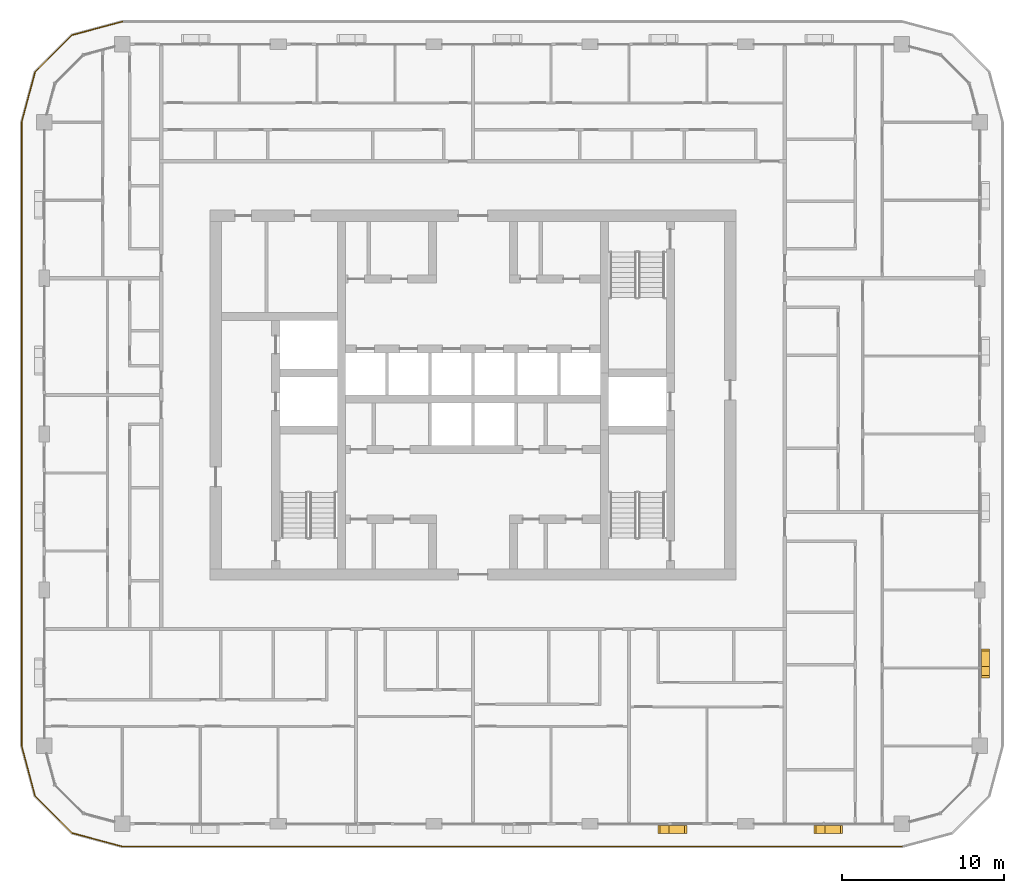
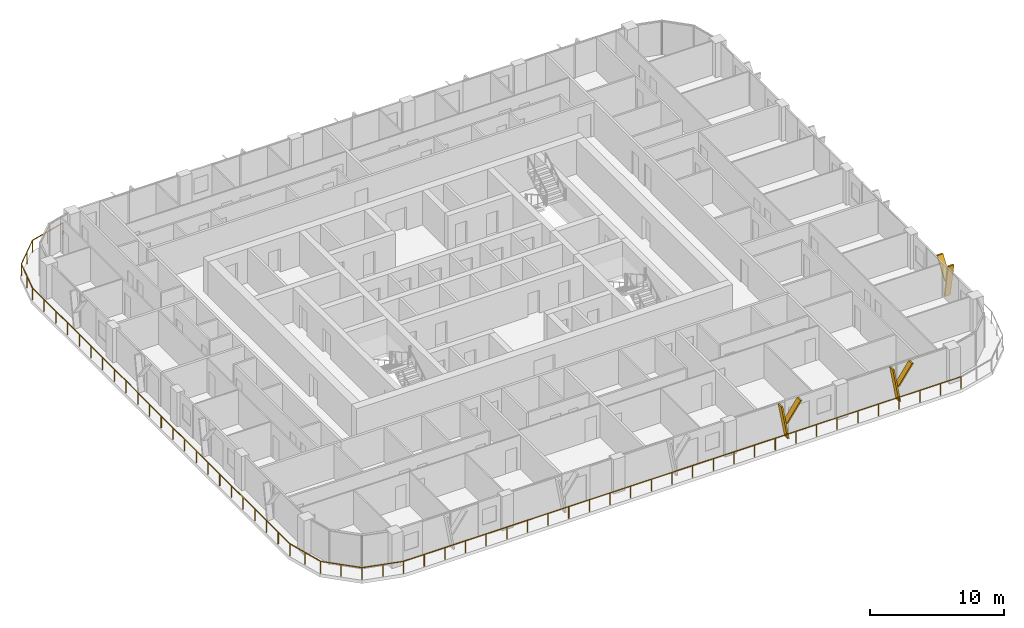
# One storey, part 19 of 22: 6 shading devices, 1 railing.
"""IFC4 building model written with IfcOpenShell, lengths in metres."""

from ifc_helpers import new_model, si_unit, direction, frame, origin, origin_2d, place, context, subcontext, project, spatial, polyline, circle, outline, extrude, material, type_object, element, save


model = new_model("IFC4")

# Units and contexts
model_context = context("Model", 3, precision=1e-05, world=origin(), true_north=direction((0.0, 1.0)))
body_context = subcontext(model_context, "Body", "Model", "MODEL_VIEW")
ifc_project = project(units=[si_unit("LENGTHUNIT", "METRE"), si_unit("AREAUNIT", "SQUARE_METRE"), si_unit("VOLUMEUNIT", "CUBIC_METRE"), si_unit("PLANEANGLEUNIT", "RADIAN"), si_unit("MASSUNIT", "GRAM", prefix="KILO")], contexts=[model_context])

# Site, building, storey
site_placement = place(None, origin())
site = spatial("IfcSite", under=ifc_project, at=site_placement, CompositionType="ELEMENT")
building_placement = place(site_placement, origin())
building = spatial("IfcBuilding", under=site, at=building_placement, Name="Madar Terraces", CompositionType="ELEMENT")
storey_placement = place(building_placement, frame((0.0, 0.0, 199.89990234375)))
storey = spatial("IfcBuildingStorey", under=building, at=storey_placement, Name="L52", CompositionType="ELEMENT", Elevation=199.89990234375)

# Railing
ifc_material_1 = material(Name="Glass, safety glazing, with stainless steel posts", Category="steel")
railing_type = type_object("IfcRailingType", Name="Balcony glass guard 1100", PredefinedType="GUARDRAIL", material=ifc_material_1)
railing_placement = place(storey_placement, frame((9.60009765625, 49.39990234375, 0.0)))
element("IfcRailing", 1, at=railing_placement, inside=storey, type_object=railing_type, Name="Balcony guard", PredefinedType="GUARDRAIL", context=body_context, shape_type="SweptSolid", body=[
    extrude(circle(Radius=0.02392578125, at=origin_2d()), frame((0.0, 0.0, 1.076171875), z_axis=(-0.9659337912, -0.258789317819, 0.0), x_axis=(0.258789317819, -0.9659337912, 0.0)), (0.0, 0.0, 1.0), 3.20947265625),
    extrude(circle(Radius=0.02392578125, at=origin_2d()), frame((-3.10009765625, -0.83056640625, 1.076171875), z_axis=(-0.707106781187, -0.707106781187, 0.0), x_axis=(0.707106781187, -0.707106781187, 0.0)), (0.0, 0.0, 1.0), 3.209228515625),
    extrude(circle(Radius=0.02392578125, at=origin_2d()), frame((-5.369384765625, -3.099853515625, 1.076171875), z_axis=(-0.258860290944, -0.965914773555, 0.0), x_axis=(0.965914773555, -0.258860290944, 0.0)), (0.0, 0.0, 1.0), 3.20947265625),
    extrude(circle(Radius=0.02392578125, at=origin_2d()), frame((-6.2001953125, -6.199951171875, 1.076171875), z_axis=(0.0, -1.0, 0.0), x_axis=(1.0, 0.0, 0.0)), (0.0, 0.0, 1.0), 38.39990234375),
    extrude(circle(Radius=0.02392578125, at=origin_2d()), frame((-6.2001953125, -44.599853515625, 1.076171875), z_axis=(0.258860290944, -0.965914773555, 0.0), x_axis=(0.965914773555, 0.258860290944, 0.0)), (0.0, 0.0, 1.0), 3.20947265625),
    extrude(circle(Radius=0.02392578125, at=origin_2d()), frame((-5.369384765625, -47.699951171875, 1.076171875), z_axis=(0.707106781187, -0.707106781187, 0.0), x_axis=(0.707106781187, 0.707106781187, 0.0)), (0.0, 0.0, 1.0), 3.209228515625),
    extrude(circle(Radius=0.02392578125, at=origin_2d()), frame((-3.10009765625, -49.96923828125, 1.076171875), z_axis=(0.9659337912, -0.258789317819, 0.0), x_axis=(0.258789317819, 0.9659337912, 0.0)), (0.0, 0.0, 1.0), 3.20947265625),
    extrude(circle(Radius=0.02392578125, at=origin_2d()), frame((0.0, -50.7998046875, 1.076171875), z_axis=(1.0, 0.0, 0.0), x_axis=(0.0, 1.0, 0.0)), (0.0, 0.0, 1.0), 48.0),
    extrude(circle(Radius=0.02099609375, at=origin_2d()), origin(), (0.0, 0.0, 1.0), 1.052001953125),
    extrude(circle(Radius=0.02099609375, at=origin_2d()), frame((-1.550048828125, -0.415283203125, 0.0)), (0.0, 0.0, 1.0), 1.052001953125),
    extrude(circle(Radius=0.02099609375, at=origin_2d()), frame((-3.10009765625, -0.83056640625, 0.0)), (0.0, 0.0, 1.0), 1.052001953125),
    extrude(circle(Radius=0.02099609375, at=origin_2d()), frame((-4.23486328125, -1.96533203125, 0.0)), (0.0, 0.0, 1.0), 1.052001953125),
    extrude(circle(Radius=0.02099609375, at=origin_2d()), frame((-5.369384765625, -3.099853515625, 0.0)), (0.0, 0.0, 1.0), 1.052001953125),
    extrude(circle(Radius=0.02099609375, at=origin_2d()), frame((-5.78466796875, -4.64990234375, 0.0)), (0.0, 0.0, 1.0), 1.052001953125),
    extrude(circle(Radius=0.02099609375, at=origin_2d()), frame((-6.2001953125, -6.199951171875, 0.0)), (0.0, 0.0, 1.0), 1.052001953125),
    extrude(circle(Radius=0.02099609375, at=origin_2d()), frame((-6.2001953125, -7.9453125, 0.0)), (0.0, 0.0, 1.0), 1.052001953125),
    extrude(circle(Radius=0.02099609375, at=origin_2d()), frame((-6.2001953125, -9.69091796875, 0.0)), (0.0, 0.0, 1.0), 1.052001953125),
    extrude(circle(Radius=0.02099609375, at=origin_2d()), frame((-6.2001953125, -11.436279296875, 0.0)), (0.0, 0.0, 1.0), 1.052001953125),
    extrude(circle(Radius=0.02099609375, at=origin_2d()), frame((-6.2001953125, -13.181640625, 0.0)), (0.0, 0.0, 1.0), 1.052001953125),
    extrude(circle(Radius=0.02099609375, at=origin_2d()), frame((-6.2001953125, -14.92724609375, 0.0)), (0.0, 0.0, 1.0), 1.052001953125),
    extrude(circle(Radius=0.02099609375, at=origin_2d()), frame((-6.2001953125, -16.672607421875, 0.0)), (0.0, 0.0, 1.0), 1.052001953125),
    extrude(circle(Radius=0.02099609375, at=origin_2d()), frame((-6.2001953125, -18.418212890625, 0.0)), (0.0, 0.0, 1.0), 1.052001953125),
    extrude(circle(Radius=0.02099609375, at=origin_2d()), frame((-6.2001953125, -20.16357421875, 0.0)), (0.0, 0.0, 1.0), 1.052001953125),
    extrude(circle(Radius=0.02099609375, at=origin_2d()), frame((-6.2001953125, -21.908935546875, 0.0)), (0.0, 0.0, 1.0), 1.052001953125),
    extrude(circle(Radius=0.02099609375, at=origin_2d()), frame((-6.2001953125, -23.654541015625, 0.0)), (0.0, 0.0, 1.0), 1.052001953125),
    extrude(circle(Radius=0.02099609375, at=origin_2d()), frame((-6.2001953125, -25.39990234375, 0.0)), (0.0, 0.0, 1.0), 1.052001953125),
    extrude(circle(Radius=0.02099609375, at=origin_2d()), frame((-6.2001953125, -27.145263671875, 0.0)), (0.0, 0.0, 1.0), 1.052001953125),
    extrude(circle(Radius=0.02099609375, at=origin_2d()), frame((-6.2001953125, -28.890869140625, 0.0)), (0.0, 0.0, 1.0), 1.052001953125),
    extrude(circle(Radius=0.02099609375, at=origin_2d()), frame((-6.2001953125, -30.63623046875, 0.0)), (0.0, 0.0, 1.0), 1.052001953125),
    extrude(circle(Radius=0.02099609375, at=origin_2d()), frame((-6.2001953125, -32.381591796875, 0.0)), (0.0, 0.0, 1.0), 1.052001953125),
    extrude(circle(Radius=0.02099609375, at=origin_2d()), frame((-6.2001953125, -34.127197265625, 0.0)), (0.0, 0.0, 1.0), 1.052001953125),
    extrude(circle(Radius=0.02099609375, at=origin_2d()), frame((-6.2001953125, -35.87255859375, 0.0)), (0.0, 0.0, 1.0), 1.052001953125),
    extrude(circle(Radius=0.02099609375, at=origin_2d()), frame((-6.2001953125, -37.6181640625, 0.0)), (0.0, 0.0, 1.0), 1.052001953125),
    extrude(circle(Radius=0.02099609375, at=origin_2d()), frame((-6.2001953125, -39.363525390625, 0.0)), (0.0, 0.0, 1.0), 1.052001953125),
    extrude(circle(Radius=0.02099609375, at=origin_2d()), frame((-6.2001953125, -41.10888671875, 0.0)), (0.0, 0.0, 1.0), 1.052001953125),
    extrude(circle(Radius=0.02099609375, at=origin_2d()), frame((-6.2001953125, -42.8544921875, 0.0)), (0.0, 0.0, 1.0), 1.052001953125),
    extrude(circle(Radius=0.02099609375, at=origin_2d()), frame((-6.2001953125, -44.599853515625, 0.0)), (0.0, 0.0, 1.0), 1.052001953125),
    extrude(circle(Radius=0.02099609375, at=origin_2d()), frame((-5.78466796875, -46.14990234375, 0.0)), (0.0, 0.0, 1.0), 1.052001953125),
    extrude(circle(Radius=0.02099609375, at=origin_2d()), frame((-5.369384765625, -47.699951171875, 0.0)), (0.0, 0.0, 1.0), 1.052001953125),
    extrude(circle(Radius=0.02099609375, at=origin_2d()), frame((-4.23486328125, -48.83447265625, 0.0)), (0.0, 0.0, 1.0), 1.052001953125),
    extrude(circle(Radius=0.02099609375, at=origin_2d()), frame((-3.10009765625, -49.96923828125, 0.0)), (0.0, 0.0, 1.0), 1.052001953125),
    extrude(circle(Radius=0.02099609375, at=origin_2d()), frame((-1.550048828125, -50.384521484375, 0.0)), (0.0, 0.0, 1.0), 1.052001953125),
    extrude(circle(Radius=0.02099609375, at=origin_2d()), frame((0.0, -50.7998046875, 0.0)), (0.0, 0.0, 1.0), 1.052001953125),
    extrude(circle(Radius=0.02099609375, at=origin_2d()), frame((1.77783203125, -50.7998046875, 0.0)), (0.0, 0.0, 1.0), 1.052001953125),
    extrude(circle(Radius=0.02099609375, at=origin_2d()), frame((3.5556640625, -50.7998046875, 0.0)), (0.0, 0.0, 1.0), 1.052001953125),
    extrude(circle(Radius=0.02099609375, at=origin_2d()), frame((5.333251953125, -50.7998046875, 0.0)), (0.0, 0.0, 1.0), 1.052001953125),
    extrude(circle(Radius=0.02099609375, at=origin_2d()), frame((7.111083984375, -50.7998046875, 0.0)), (0.0, 0.0, 1.0), 1.052001953125),
    extrude(circle(Radius=0.02099609375, at=origin_2d()), frame((8.888916015625, -50.7998046875, 0.0)), (0.0, 0.0, 1.0), 1.052001953125),
    extrude(circle(Radius=0.02099609375, at=origin_2d()), frame((10.666748046875, -50.7998046875, 0.0)), (0.0, 0.0, 1.0), 1.052001953125),
    extrude(circle(Radius=0.02099609375, at=origin_2d()), frame((12.4443359375, -50.7998046875, 0.0)), (0.0, 0.0, 1.0), 1.052001953125),
    extrude(circle(Radius=0.02099609375, at=origin_2d()), frame((14.22216796875, -50.7998046875, 0.0)), (0.0, 0.0, 1.0), 1.052001953125),
    extrude(circle(Radius=0.02099609375, at=origin_2d()), frame((16.0, -50.7998046875, 0.0)), (0.0, 0.0, 1.0), 1.052001953125),
    extrude(circle(Radius=0.02099609375, at=origin_2d()), frame((17.77783203125, -50.7998046875, 0.0)), (0.0, 0.0, 1.0), 1.052001953125),
    extrude(circle(Radius=0.02099609375, at=origin_2d()), frame((19.5556640625, -50.7998046875, 0.0)), (0.0, 0.0, 1.0), 1.052001953125),
    extrude(circle(Radius=0.02099609375, at=origin_2d()), frame((21.333251953125, -50.7998046875, 0.0)), (0.0, 0.0, 1.0), 1.052001953125),
    extrude(circle(Radius=0.02099609375, at=origin_2d()), frame((23.111083984375, -50.7998046875, 0.0)), (0.0, 0.0, 1.0), 1.052001953125),
    extrude(circle(Radius=0.02099609375, at=origin_2d()), frame((24.888916015625, -50.7998046875, 0.0)), (0.0, 0.0, 1.0), 1.052001953125),
    extrude(circle(Radius=0.02099609375, at=origin_2d()), frame((26.666748046875, -50.7998046875, 0.0)), (0.0, 0.0, 1.0), 1.052001953125),
    extrude(circle(Radius=0.02099609375, at=origin_2d()), frame((28.4443359375, -50.7998046875, 0.0)), (0.0, 0.0, 1.0), 1.052001953125),
    extrude(circle(Radius=0.02099609375, at=origin_2d()), frame((30.22216796875, -50.7998046875, 0.0)), (0.0, 0.0, 1.0), 1.052001953125),
    extrude(circle(Radius=0.02099609375, at=origin_2d()), frame((32.0, -50.7998046875, 0.0)), (0.0, 0.0, 1.0), 1.052001953125),
    extrude(circle(Radius=0.02099609375, at=origin_2d()), frame((33.77783203125, -50.7998046875, 0.0)), (0.0, 0.0, 1.0), 1.052001953125),
    extrude(circle(Radius=0.02099609375, at=origin_2d()), frame((35.5556640625, -50.7998046875, 0.0)), (0.0, 0.0, 1.0), 1.052001953125),
    extrude(circle(Radius=0.02099609375, at=origin_2d()), frame((37.333251953125, -50.7998046875, 0.0)), (0.0, 0.0, 1.0), 1.052001953125),
    extrude(circle(Radius=0.02099609375, at=origin_2d()), frame((39.111083984375, -50.7998046875, 0.0)), (0.0, 0.0, 1.0), 1.052001953125),
    extrude(circle(Radius=0.02099609375, at=origin_2d()), frame((40.888916015625, -50.7998046875, 0.0)), (0.0, 0.0, 1.0), 1.052001953125),
    extrude(circle(Radius=0.02099609375, at=origin_2d()), frame((42.666748046875, -50.7998046875, 0.0)), (0.0, 0.0, 1.0), 1.052001953125),
    extrude(circle(Radius=0.02099609375, at=origin_2d()), frame((44.4443359375, -50.7998046875, 0.0)), (0.0, 0.0, 1.0), 1.052001953125),
    extrude(circle(Radius=0.02099609375, at=origin_2d()), frame((46.22216796875, -50.7998046875, 0.0)), (0.0, 0.0, 1.0), 1.052001953125),
    extrude(circle(Radius=0.02099609375, at=origin_2d()), frame((48.0, -50.7998046875, 0.0)), (0.0, 0.0, 1.0), 1.052001953125),
])

# Shading devices
ifc_material_2 = material(Name="Aluminium, black anodised", Category="aluminium")
shading_device_type = type_object("IfcShadingDeviceType", Name="Facade fin blade 140 x 500", PredefinedType="USERDEFINED", material=ifc_material_2)
shading_device_1_placement = place(storey_placement, frame((43.1298828125, -0.35009765625, 0.0), z_axis=(0.0, 0.0, 1.0), x_axis=(1.0, 0.0, 0.0)))
element("IfcShadingDevice", 2, at=shading_device_1_placement, inside=storey, type_object=shading_device_type, Name="FIN L52 S4", ObjectType="FIN", PredefinedType="USERDEFINED", context=body_context, shape_type="SweptSolid", body=[
    extrude(outline(polyline([(0.0, 0.0), (0.14013671875, 0.0), (-0.403076171875, 3.080078125), (-0.54296875, 3.080078125), (0.0, 0.0)])), frame((0.0, 0.25, 0.0), z_axis=(0.0, -1.0, 0.0), x_axis=(1.0, 0.0, 0.0)), (0.0, 0.0, 1.0), 0.5),
])
shading_device_2_placement = place(storey_placement, frame((43.025634765625, -0.35009765625, 1.385986328125), z_axis=(0.0, 0.0, 1.0), x_axis=(1.0, 0.0, 0.0)))
element("IfcShadingDevice", 3, at=shading_device_2_placement, inside=storey, type_object=shading_device_type, Name="FIN L52 S4 branch", ObjectType="FIN", PredefinedType="USERDEFINED", context=body_context, shape_type="SweptSolid", body=[
    extrude(outline(polyline([(0.0, 0.0), (0.139892578125, 0.0), (1.34130859375, 1.694091796875), (1.201416015625, 1.694091796875), (0.0, 0.0)])), frame((0.0, 0.25, 0.0), z_axis=(0.0, -1.0, 0.0), x_axis=(1.0, 0.0, 0.0)), (0.0, 0.0, 1.0), 0.5),
])
shading_device_3_placement = place(storey_placement, frame((52.72998046875, -0.35009765625, 0.0), z_axis=(0.0, 0.0, 1.0), x_axis=(1.0, 0.0, 0.0)))
element("IfcShadingDevice", 4, at=shading_device_3_placement, inside=storey, type_object=shading_device_type, Name="FIN L52 S5", ObjectType="FIN", PredefinedType="USERDEFINED", context=body_context, shape_type="SweptSolid", body=[
    extrude(outline(polyline([(0.0, 0.0), (0.14013671875, 0.0), (-0.403076171875, 3.080078125), (-0.54296875, 3.080078125), (0.0, 0.0)])), frame((0.0, 0.25, 0.0), z_axis=(0.0, -1.0, 0.0), x_axis=(1.0, 0.0, 0.0)), (0.0, 0.0, 1.0), 0.5),
])
shading_device_4_placement = place(storey_placement, frame((52.625732421875, -0.35009765625, 1.385986328125), z_axis=(0.0, 0.0, 1.0), x_axis=(1.0, 0.0, 0.0)))
element("IfcShadingDevice", 5, at=shading_device_4_placement, inside=storey, type_object=shading_device_type, Name="FIN L52 S5 branch", ObjectType="FIN", PredefinedType="USERDEFINED", context=body_context, shape_type="SweptSolid", body=[
    extrude(outline(polyline([(0.0, 0.0), (0.139892578125, 0.0), (1.34130859375, 1.694091796875), (1.201416015625, 1.694091796875), (0.0, 0.0)])), frame((0.0, 0.25, 0.0), z_axis=(0.0, -1.0, 0.0), x_axis=(1.0, 0.0, 0.0)), (0.0, 0.0, 1.0), 0.5),
])
shading_device_5_placement = place(storey_placement, frame((62.75, 9.530029296875, 0.0), z_axis=(0.0, 0.0, 1.0), x_axis=(0.0, 1.0, 0.0)))
element("IfcShadingDevice", 6, at=shading_device_5_placement, inside=storey, type_object=shading_device_type, Name="FIN L52 E1", ObjectType="FIN", PredefinedType="USERDEFINED", context=body_context, shape_type="SweptSolid", body=[
    extrude(outline(polyline([(0.0, 0.0), (0.139892578125, 0.0), (-0.403076171875, 3.080078125), (-0.54296875, 3.080078125), (0.0, 0.0)])), frame((0.0, 0.25, 0.0), z_axis=(0.0, -1.0, 0.0), x_axis=(1.0, 0.0, 0.0)), (0.0, 0.0, 1.0), 0.5),
])
shading_device_6_placement = place(storey_placement, frame((62.75, 9.425537109375, 1.385986328125), z_axis=(0.0, 0.0, 1.0), x_axis=(0.0, 1.0, 0.0)))
element("IfcShadingDevice", 7, at=shading_device_6_placement, inside=storey, type_object=shading_device_type, Name="FIN L52 E1 branch", ObjectType="FIN", PredefinedType="USERDEFINED", context=body_context, shape_type="SweptSolid", body=[
    extrude(outline(polyline([(0.0, 0.0), (0.14013671875, 0.0), (1.34130859375, 1.694091796875), (1.201416015625, 1.694091796875), (0.0, 0.0)])), frame((0.0, 0.25, 0.0), z_axis=(0.0, -1.0, 0.0), x_axis=(1.0, 0.0, 0.0)), (0.0, 0.0, 1.0), 0.5),
])

save(model, "model.ifc")
